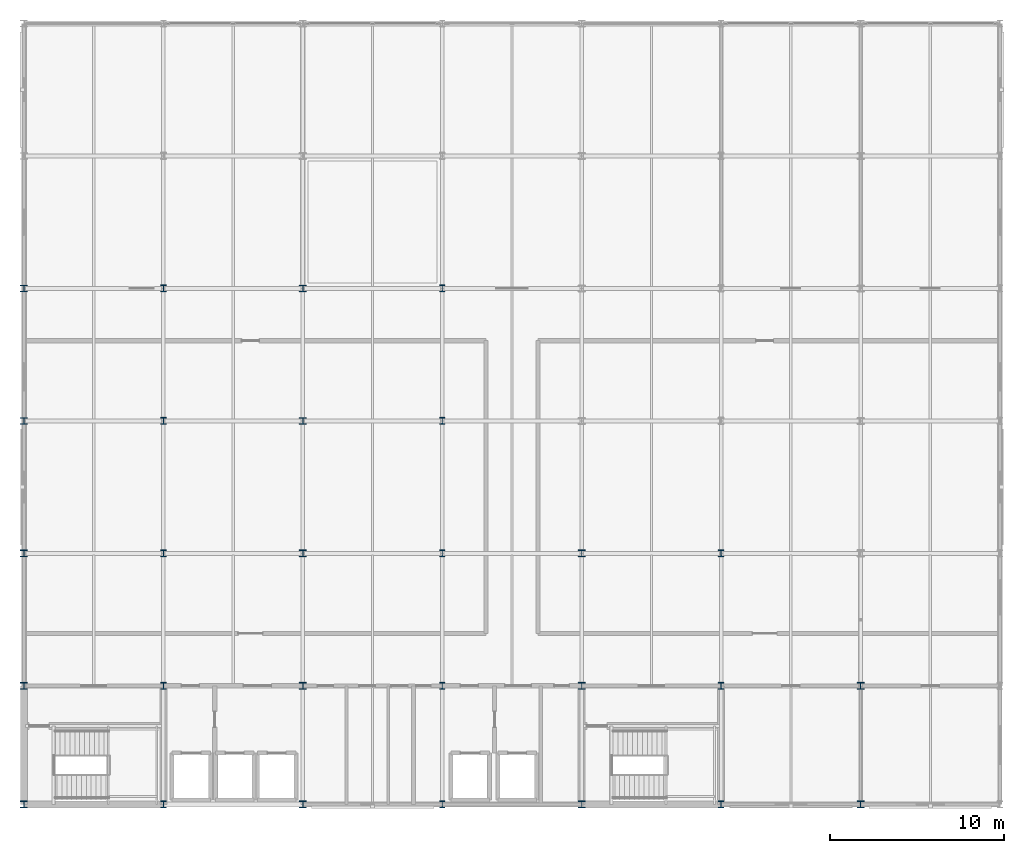
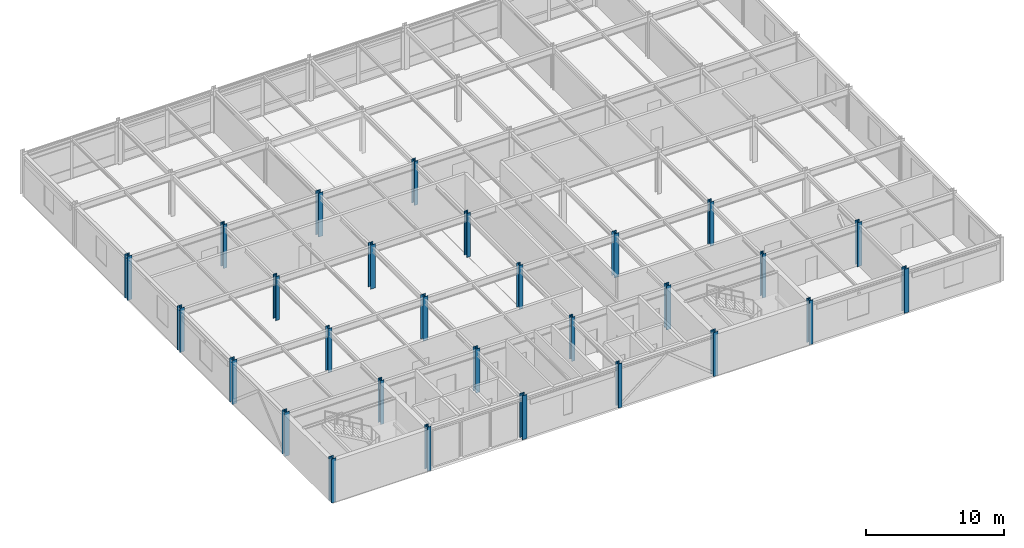
# One storey, part 1 of 14: 28 columns.
"""IFC4 building model written with IfcOpenShell, lengths in metres."""

from ifc_helpers import new_model, si_unit, direction, frame, origin, origin_2d, place, context, subcontext, project, spatial, i_section, extrude, material, material_profile, profile_set, type_object, element, save


model = new_model("IFC4")

# Units and contexts
model_context = context("Model", 3, precision=1e-05, world=origin(), true_north=direction((0.0, 1.0)))
body_context = subcontext(model_context, "Body", "Model", "MODEL_VIEW")
ifc_project = project(units=[si_unit("LENGTHUNIT", "METRE"), si_unit("AREAUNIT", "SQUARE_METRE"), si_unit("VOLUMEUNIT", "CUBIC_METRE"), si_unit("PLANEANGLEUNIT", "RADIAN"), si_unit("MASSUNIT", "GRAM", prefix="KILO")], contexts=[model_context])

# Site, building, storey
site_placement = place(None, origin())
site = spatial("IfcSite", under=ifc_project, at=site_placement, CompositionType="ELEMENT")
building_placement = place(site_placement, origin())
building = spatial("IfcBuilding", under=site, at=building_placement, Name="Shalkamar Park Central Library", CompositionType="ELEMENT")
storey_placement = place(building_placement, frame((0.0, 0.0, 32.10009765625)))
storey = spatial("IfcBuildingStorey", under=building, at=storey_placement, Name="L08", CompositionType="ELEMENT", Elevation=32.10009765625)

# Columns
ifc_material = material(Name="Steel S355", Category="steel")
ifc_material_profile_1 = material_profile(ifc_material, i_section(OverallWidth=0.39794921875, OverallDepth=0.386962890625, WebThickness=0.02099609375, FlangeThickness=0.033203125, FilletRadius=0.014892578125, at=origin_2d()), Name="HD 400x262")
ifc_profile_set_1 = profile_set([ifc_material_profile_1], Name="Steel S355")
column_type_1 = type_object("IfcColumnType", Name="Column Steel HD400x262", PredefinedType="COLUMN", material=ifc_profile_set_1)
for number, where, z_axis, x_axis, name in (
    (1, (165.0, 248.39990234375, 0.0), (0.0, 0.0, 1.0), (1.0, 0.0, 0.0), "Column 07/B (L08)"),
    (2, (165.0, 255.199951171875, 0.0), (0.0, 0.0, 1.0), (1.0, 0.0, 0.0), "Column 07/C (L08)"),
    (3, (165.0, 262.800048828125, 0.0), (0.0, 0.0, 1.0), (1.0, 0.0, 0.0), "Column 07/D (L08)"),
    (4, (165.0, 270.39990234375, 0.0), (0.0, 0.0, 1.0), (1.0, 0.0, 0.0), "Column 07/E (L08)"),
    (5, (165.0, 278.0, 0.0), (0.0, 0.0, 1.0), (1.0, 0.0, 0.0), "Column 07/F (L08)"),
    (6, (181.0, 248.39990234375, 0.0), (0.0, 0.0, 1.0), (1.0, 0.0, 0.0), "Column 09/B (L08)"),
    (7, (181.0, 255.199951171875, 0.0), (0.0, 0.0, 1.0), (1.0, 0.0, 0.0), "Column 09/C (L08)"),
    (8, (181.0, 262.800048828125, 0.0), (0.0, 0.0, 1.0), (1.0, 0.0, 0.0), "Column 09/D (L08)"),
    (9, (181.0, 270.39990234375, 0.0), (0.0, 0.0, 1.0), (1.0, 0.0, 0.0), "Column 09/E (L08)"),
    (10, (181.0, 278.0, 0.0), (0.0, 0.0, 1.0), (1.0, 0.0, 0.0), "Column 09/F (L08)"),
    (11, (197.0, 248.39990234375, 0.0), (0.0, 0.0, 1.0), (1.0, 0.0, 0.0), "Column 11/B (L08)"),
    (12, (197.0, 255.199951171875, 0.0), (0.0, 0.0, 1.0), (1.0, 0.0, 0.0), "Column 11/C (L08)"),
    (13, (197.0, 262.800048828125, 0.0), (0.0, 0.0, 1.0), (1.0, 0.0, 0.0), "Column 11/D (L08)"),
    (14, (213.0, 248.39990234375, 0.0), (0.0, 0.0, 1.0), (1.0, 0.0, 0.0), "Column 13/B (L08)"),
    (15, (213.0, 255.199951171875, 0.0), (0.0, 0.0, 1.0), (1.0, 0.0, 0.0), "Column 13/C (L08)"),
):
    element("IfcColumn", number, at=place(storey_placement, frame(where, z_axis=z_axis, x_axis=x_axis)), inside=storey, type_object=column_type_1, Name=name, PredefinedType="COLUMN", context=body_context, shape_type="SweptSolid", body=[
        extrude(i_section(OverallWidth=0.39794921875, OverallDepth=0.386962890625, WebThickness=0.02099609375, FlangeThickness=0.033203125, FilletRadius=0.014892578125, at=origin_2d()), origin(), (0.0, 0.0, 1.0), 3.89990234375),
    ])
ifc_material_profile_2 = material_profile(ifc_material, i_section(OverallWidth=0.30810546875, OverallDepth=0.39501953125, WebThickness=0.02099609375, FlangeThickness=0.0400390625, FilletRadius=0.027099609375, at=origin_2d()), Name="HEM 360")
ifc_profile_set_2 = profile_set([ifc_material_profile_2], Name="Steel S355")
column_type_2 = type_object("IfcColumnType", Name="Column Steel HEM360", PredefinedType="COLUMN", material=ifc_profile_set_2)
for number, where, z_axis, x_axis, name in (
    (16, (173.0, 248.39990234375, 0.0), (0.0, 0.0, 1.0), (1.0, 0.0, 0.0), "Column 08/B (L08)"),
    (17, (173.0, 255.199951171875, 0.0), (0.0, 0.0, 1.0), (1.0, 0.0, 0.0), "Column 08/C (L08)"),
    (18, (173.0, 262.800048828125, 0.0), (0.0, 0.0, 1.0), (1.0, 0.0, 0.0), "Column 08/D (L08)"),
    (19, (173.0, 270.39990234375, 0.0), (0.0, 0.0, 1.0), (1.0, 0.0, 0.0), "Column 08/E (L08)"),
    (20, (173.0, 278.0, 0.0), (0.0, 0.0, 1.0), (1.0, 0.0, 0.0), "Column 08/F (L08)"),
    (21, (189.0, 248.39990234375, 0.0), (0.0, 0.0, 1.0), (1.0, 0.0, 0.0), "Column 10/B (L08)"),
    (22, (189.0, 255.199951171875, 0.0), (0.0, 0.0, 1.0), (1.0, 0.0, 0.0), "Column 10/C (L08)"),
    (23, (189.0, 262.800048828125, 0.0), (0.0, 0.0, 1.0), (1.0, 0.0, 0.0), "Column 10/D (L08)"),
    (24, (189.0, 270.39990234375, 0.0), (0.0, 0.0, 1.0), (1.0, 0.0, 0.0), "Column 10/E (L08)"),
    (25, (189.0, 278.0, 0.0), (0.0, 0.0, 1.0), (1.0, 0.0, 0.0), "Column 10/F (L08)"),
    (26, (205.0, 248.39990234375, 0.0), (0.0, 0.0, 1.0), (1.0, 0.0, 0.0), "Column 12/B (L08)"),
    (27, (205.0, 255.199951171875, 0.0), (0.0, 0.0, 1.0), (1.0, 0.0, 0.0), "Column 12/C (L08)"),
    (28, (205.0, 262.800048828125, 0.0), (0.0, 0.0, 1.0), (1.0, 0.0, 0.0), "Column 12/D (L08)"),
):
    element("IfcColumn", number, at=place(storey_placement, frame(where, z_axis=z_axis, x_axis=x_axis)), inside=storey, type_object=column_type_2, Name=name, PredefinedType="COLUMN", context=body_context, shape_type="SweptSolid", body=[
        extrude(i_section(OverallWidth=0.30810546875, OverallDepth=0.39501953125, WebThickness=0.02099609375, FlangeThickness=0.0400390625, FilletRadius=0.027099609375, at=origin_2d()), origin(), (0.0, 0.0, 1.0), 3.89990234375),
    ])

save(model, "model.ifc")
